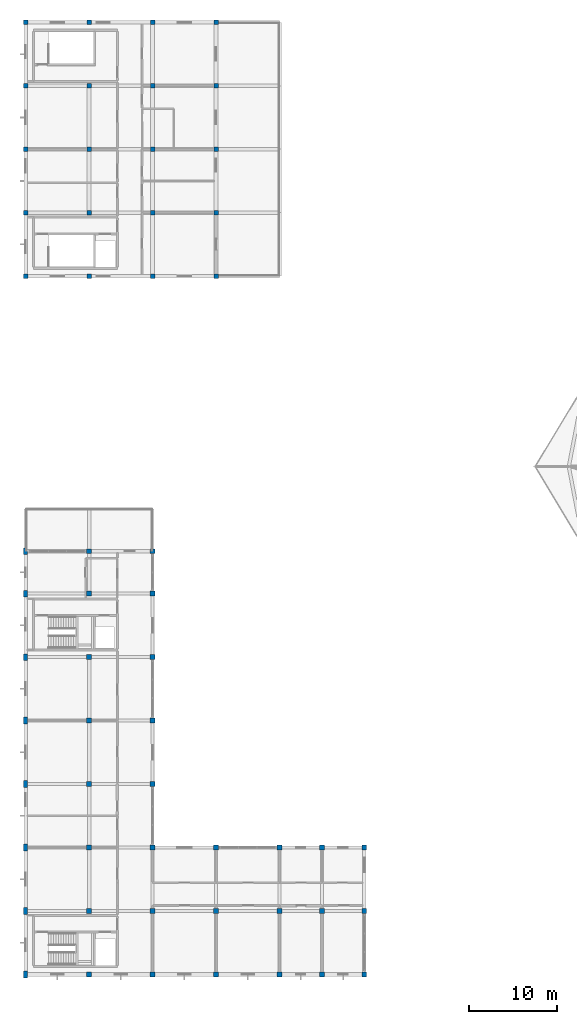
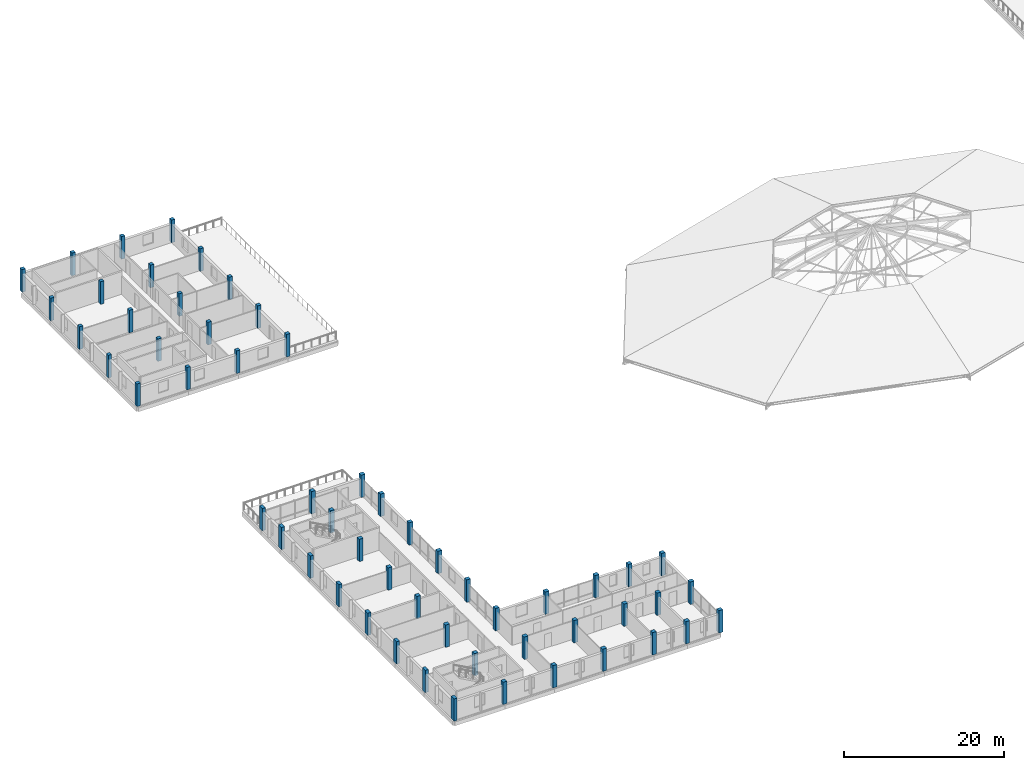
# One storey, part 1 of 66: 56 columns.
"""IFC4 building model written with IfcOpenShell, lengths in metres."""

from ifc_helpers import new_model, si_unit, direction, frame, origin, origin_2d, place, context, subcontext, project, spatial, rectangle, extrude, material, material_profile, profile_set, type_object, element, save


model = new_model("IFC4")

# Units and contexts
model_context = context("Model", 3, precision=1e-05, world=origin(), true_north=direction((0.0, 1.0)))
body_context = subcontext(model_context, "Body", "Model", "MODEL_VIEW")
ifc_project = project(units=[si_unit("LENGTHUNIT", "METRE"), si_unit("AREAUNIT", "SQUARE_METRE"), si_unit("VOLUMEUNIT", "CUBIC_METRE"), si_unit("PLANEANGLEUNIT", "RADIAN"), si_unit("MASSUNIT", "GRAM", prefix="KILO")], contexts=[model_context])

# Site, building, storey
site_placement = place(None, origin())
site = spatial("IfcSite", under=ifc_project, at=site_placement, CompositionType="ELEMENT")
building_placement = place(site_placement, origin())
building = spatial("IfcBuilding", under=site, at=building_placement, Name="Zornivar Specialist Clinic", CompositionType="ELEMENT")
storey_placement = place(building_placement, frame((0.0, 0.0, 16.0)))
storey = spatial("IfcBuildingStorey", under=building, at=storey_placement, Name="L04", CompositionType="ELEMENT", Elevation=16.0)

# Columns
ifc_material_1 = material(Name="Concrete C35/45", Category="concrete")
ifc_material_profile_1 = material_profile(ifc_material_1, rectangle(XDim=0.449951171875, YDim=0.75, at=origin_2d()), Name="RC 450x750")
ifc_profile_set_1 = profile_set([ifc_material_profile_1], Name="Concrete C35/45")
column_type_1 = type_object("IfcColumnType", Name="COL-RC-450x750", PredefinedType="PILASTER", material=ifc_profile_set_1)
for number, where, z_axis, x_axis, name in (
    (1, (0.0, 0.0, 0.0), (0.0, 0.0, 1.0), (1.0, 0.0, 0.0), "col:V2:L04:0_0"),
    (2, (0.0, 7.199951171875, 0.0), (0.0, 0.0, 1.0), (1.0, 0.0, 0.0), "col:V2:L04:0_72"),
    (3, (0.0, 14.39990234375, 0.0), (0.0, 0.0, 1.0), (1.0, 0.0, 0.0), "col:V2:L04:0_144"),
    (4, (0.0, 21.60009765625, 0.0), (0.0, 0.0, 1.0), (1.0, 0.0, 0.0), "col:V2:L04:0_216"),
    (5, (0.0, 28.800048828125, 0.0), (0.0, 0.0, 1.0), (1.0, 0.0, 0.0), "col:V2:L04:0_288"),
    (6, (0.0, 36.0, 0.0), (0.0, 0.0, 1.0), (1.0, 0.0, 0.0), "col:V2:L04:0_360"),
    (7, (0.0, 43.199951171875, 0.0), (0.0, 0.0, 1.0), (1.0, 0.0, 0.0), "col:V2:L04:0_432"),
    (8, (0.0, 48.0, 0.0), (0.0, 0.0, 1.0), (1.0, 0.0, 0.0), "col:V2:L04:0_480"),
):
    element("IfcColumn", number, at=place(storey_placement, frame(where, z_axis=z_axis, x_axis=x_axis)), inside=storey, type_object=column_type_1, Name=name, PredefinedType="PILASTER", context=body_context, shape_type="SweptSolid", body=[
        extrude(rectangle(XDim=0.449951171875, YDim=0.75, at=origin_2d()), origin(), (0.0, 0.0, 1.0), 3.419921875),
    ])
ifc_material_2 = material(Name="Concrete C35/45", Category="concrete")
ifc_material_profile_2 = material_profile(ifc_material_2, rectangle(XDim=0.5, YDim=0.5, at=origin_2d()), Name="RC 500x500")
ifc_profile_set_2 = profile_set([ifc_material_profile_2], Name="Concrete C35/45")
column_type_2 = type_object("IfcColumnType", Name="COL-RC-500", PredefinedType="COLUMN", material=ifc_profile_set_2)
for number, where, z_axis, x_axis, name in (
    (9, (0.0, 79.199951171875, 0.0), (0.0, 0.0, 1.0), (1.0, 0.0, 0.0), "col:V5:L04:0_792"),
    (10, (0.0, 86.39990234375, 0.0), (0.0, 0.0, 1.0), (1.0, 0.0, 0.0), "col:V5:L04:0_864"),
    (11, (0.0, 93.60009765625, 0.0), (0.0, 0.0, 1.0), (1.0, 0.0, 0.0), "col:V5:L04:0_936"),
    (12, (0.0, 100.800048828125, 0.0), (0.0, 0.0, 1.0), (1.0, 0.0, 0.0), "col:V5:L04:0_1008"),
    (13, (0.0, 108.0, 0.0), (0.0, 0.0, 1.0), (1.0, 0.0, 0.0), "col:V5:L04:0_1080"),
    (14, (7.199951171875, 79.199951171875, 0.0), (0.0, 0.0, 1.0), (1.0, 0.0, 0.0), "col:V5:L04:72_792"),
    (15, (7.199951171875, 86.39990234375, 0.0), (0.0, 0.0, 1.0), (1.0, 0.0, 0.0), "col:V5:L04:72_864"),
    (16, (7.199951171875, 93.60009765625, 0.0), (0.0, 0.0, 1.0), (1.0, 0.0, 0.0), "col:V5:L04:72_936"),
    (17, (7.199951171875, 100.800048828125, 0.0), (0.0, 0.0, 1.0), (1.0, 0.0, 0.0), "col:V5:L04:72_1008"),
    (18, (7.199951171875, 108.0, 0.0), (0.0, 0.0, 1.0), (1.0, 0.0, 0.0), "col:V5:L04:72_1080"),
    (19, (14.39990234375, 79.199951171875, 0.0), (0.0, 0.0, 1.0), (1.0, 0.0, 0.0), "col:V5:L04:144_792"),
    (20, (14.39990234375, 86.39990234375, 0.0), (0.0, 0.0, 1.0), (1.0, 0.0, 0.0), "col:V5:L04:144_864"),
    (21, (14.39990234375, 93.60009765625, 0.0), (0.0, 0.0, 1.0), (1.0, 0.0, 0.0), "col:V5:L04:144_936"),
    (22, (14.39990234375, 100.800048828125, 0.0), (0.0, 0.0, 1.0), (1.0, 0.0, 0.0), "col:V5:L04:144_1008"),
    (23, (14.39990234375, 108.0, 0.0), (0.0, 0.0, 1.0), (1.0, 0.0, 0.0), "col:V5:L04:144_1080"),
    (24, (21.60009765625, 79.199951171875, 0.0), (0.0, 0.0, 1.0), (1.0, 0.0, 0.0), "col:V5:L04:216_792"),
    (25, (21.60009765625, 86.39990234375, 0.0), (0.0, 0.0, 1.0), (1.0, 0.0, 0.0), "col:V5:L04:216_864"),
    (26, (21.60009765625, 93.60009765625, 0.0), (0.0, 0.0, 1.0), (1.0, 0.0, 0.0), "col:V5:L04:216_936"),
    (27, (21.60009765625, 100.800048828125, 0.0), (0.0, 0.0, 1.0), (1.0, 0.0, 0.0), "col:V5:L04:216_1008"),
    (28, (21.60009765625, 108.0, 0.0), (0.0, 0.0, 1.0), (1.0, 0.0, 0.0), "col:V5:L04:216_1080"),
):
    element("IfcColumn", number, at=place(storey_placement, frame(where, z_axis=z_axis, x_axis=x_axis)), inside=storey, type_object=column_type_2, Name=name, PredefinedType="COLUMN", context=body_context, shape_type="SweptSolid", body=[
        extrude(rectangle(XDim=0.5, YDim=0.5, at=origin_2d()), origin(), (0.0, 0.0, 1.0), 3.4599609375),
    ])
ifc_material_3 = material(Name="Concrete C35/45", Category="concrete")
ifc_material_profile_3 = material_profile(ifc_material_3, rectangle(XDim=0.56005859375, YDim=0.56005859375, at=origin_2d()), Name="RC 560x560")
ifc_profile_set_3 = profile_set([ifc_material_profile_3], Name="Concrete C35/45")
column_type_3 = type_object("IfcColumnType", Name="COL-RC-560", PredefinedType="COLUMN", material=ifc_profile_set_3)
for number, where, z_axis, x_axis, name in (
    (29, (7.199951171875, 0.0, 0.0), (0.0, 0.0, 1.0), (1.0, 0.0, 0.0), "col:V2:L04:72_0"),
    (30, (7.199951171875, 7.199951171875, 0.0), (0.0, 0.0, 1.0), (1.0, 0.0, 0.0), "col:V2:L04:72_72"),
    (31, (7.199951171875, 14.39990234375, 0.0), (0.0, 0.0, 1.0), (1.0, 0.0, 0.0), "col:V2:L04:72_144"),
    (32, (7.199951171875, 21.60009765625, 0.0), (0.0, 0.0, 1.0), (1.0, 0.0, 0.0), "col:V2:L04:72_216"),
    (33, (7.199951171875, 28.800048828125, 0.0), (0.0, 0.0, 1.0), (1.0, 0.0, 0.0), "col:V2:L04:72_288"),
    (34, (7.199951171875, 36.0, 0.0), (0.0, 0.0, 1.0), (1.0, 0.0, 0.0), "col:V2:L04:72_360"),
    (35, (7.199951171875, 43.199951171875, 0.0), (0.0, 0.0, 1.0), (1.0, 0.0, 0.0), "col:V2:L04:72_432"),
    (36, (7.199951171875, 48.0, 0.0), (0.0, 0.0, 1.0), (1.0, 0.0, 0.0), "col:V2:L04:72_480"),
    (37, (14.39990234375, 0.0, 0.0), (0.0, 0.0, 1.0), (1.0, 0.0, 0.0), "col:V2:L04:144_0"),
    (38, (14.39990234375, 7.199951171875, 0.0), (0.0, 0.0, 1.0), (1.0, 0.0, 0.0), "col:V2:L04:144_72"),
    (39, (14.39990234375, 14.39990234375, 0.0), (0.0, 0.0, 1.0), (1.0, 0.0, 0.0), "col:V2:L04:144_144"),
    (40, (14.39990234375, 21.60009765625, 0.0), (0.0, 0.0, 1.0), (1.0, 0.0, 0.0), "col:V2:L04:144_216"),
    (41, (14.39990234375, 28.800048828125, 0.0), (0.0, 0.0, 1.0), (1.0, 0.0, 0.0), "col:V2:L04:144_288"),
    (42, (14.39990234375, 36.0, 0.0), (0.0, 0.0, 1.0), (1.0, 0.0, 0.0), "col:V2:L04:144_360"),
    (43, (14.39990234375, 43.199951171875, 0.0), (0.0, 0.0, 1.0), (1.0, 0.0, 0.0), "col:V2:L04:144_432"),
    (44, (14.39990234375, 48.0, 0.0), (0.0, 0.0, 1.0), (1.0, 0.0, 0.0), "col:V2:L04:144_480"),
    (45, (21.60009765625, 0.0, 0.0), (0.0, 0.0, 1.0), (1.0, 0.0, 0.0), "col:V2:L04:216_0"),
    (46, (21.60009765625, 7.199951171875, 0.0), (0.0, 0.0, 1.0), (1.0, 0.0, 0.0), "col:V2:L04:216_72"),
    (47, (21.60009765625, 14.39990234375, 0.0), (0.0, 0.0, 1.0), (1.0, 0.0, 0.0), "col:V2:L04:216_144"),
    (48, (28.800048828125, 0.0, 0.0), (0.0, 0.0, 1.0), (1.0, 0.0, 0.0), "col:V2:L04:288_0"),
    (49, (28.800048828125, 7.199951171875, 0.0), (0.0, 0.0, 1.0), (1.0, 0.0, 0.0), "col:V2:L04:288_72"),
    (50, (28.800048828125, 14.39990234375, 0.0), (0.0, 0.0, 1.0), (1.0, 0.0, 0.0), "col:V2:L04:288_144"),
    (51, (33.60009765625, 0.0, 0.0), (0.0, 0.0, 1.0), (1.0, 0.0, 0.0), "col:V2:L04:336_0"),
    (52, (33.60009765625, 7.199951171875, 0.0), (0.0, 0.0, 1.0), (1.0, 0.0, 0.0), "col:V2:L04:336_72"),
    (53, (33.60009765625, 14.39990234375, 0.0), (0.0, 0.0, 1.0), (1.0, 0.0, 0.0), "col:V2:L04:336_144"),
    (54, (38.39990234375, 0.0, 0.0), (0.0, 0.0, 1.0), (1.0, 0.0, 0.0), "col:V2:L04:384_0"),
    (55, (38.39990234375, 7.199951171875, 0.0), (0.0, 0.0, 1.0), (1.0, 0.0, 0.0), "col:V2:L04:384_72"),
    (56, (38.39990234375, 14.39990234375, 0.0), (0.0, 0.0, 1.0), (1.0, 0.0, 0.0), "col:V2:L04:384_144"),
):
    element("IfcColumn", number, at=place(storey_placement, frame(where, z_axis=z_axis, x_axis=x_axis)), inside=storey, type_object=column_type_3, Name=name, PredefinedType="COLUMN", context=body_context, shape_type="SweptSolid", body=[
        extrude(rectangle(XDim=0.56005859375, YDim=0.56005859375, at=origin_2d()), origin(), (0.0, 0.0, 1.0), 3.419921875),
    ])

save(model, "model.ifc")
